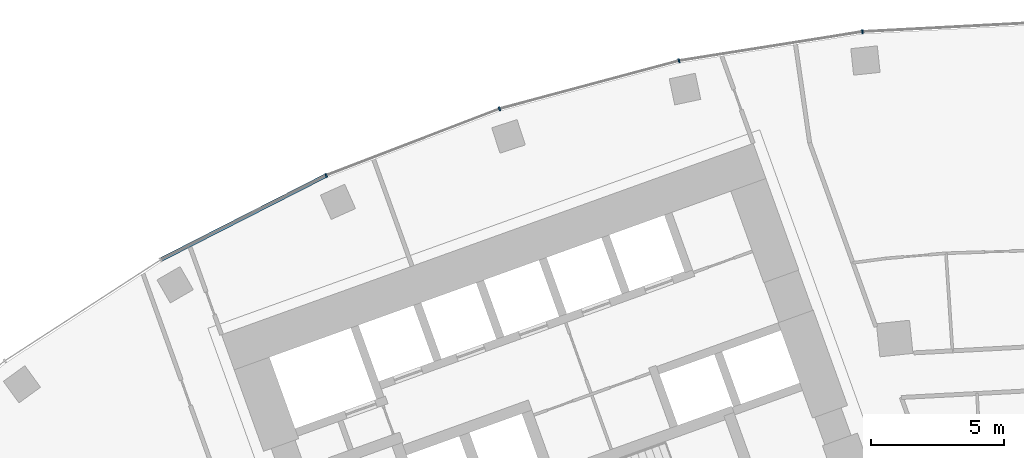
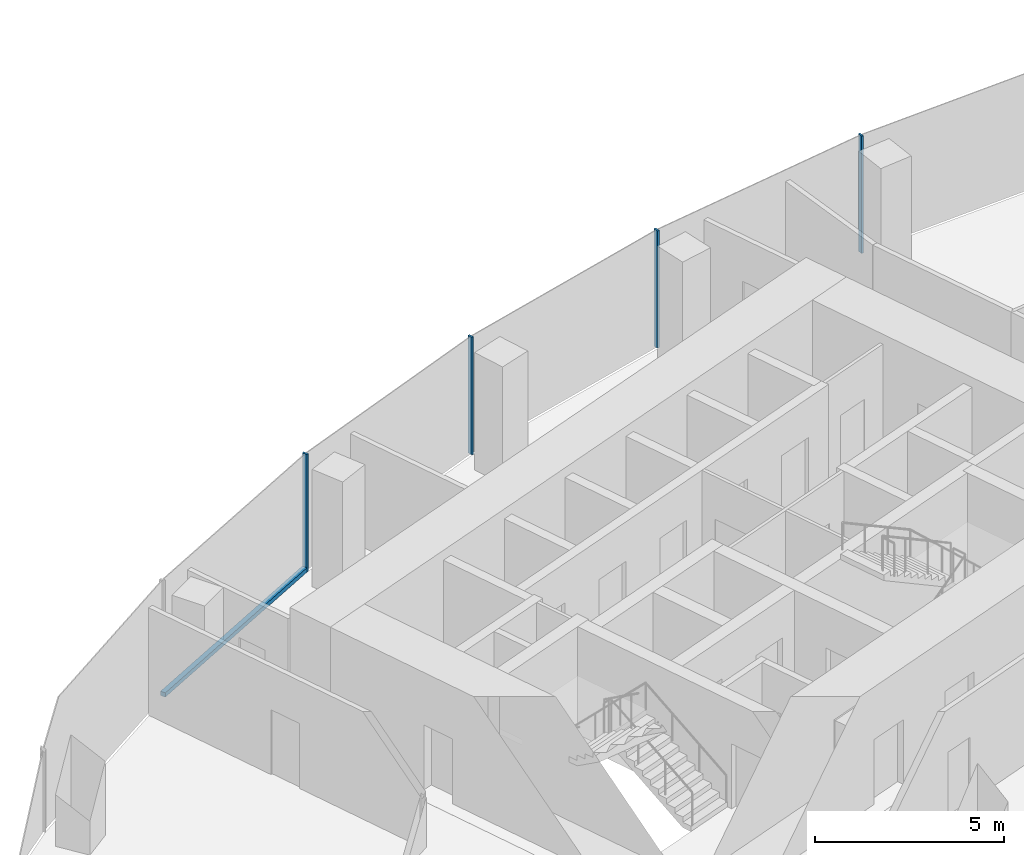
# One storey, part 6 of 21: 5 members, 1 element without a shape of its own.
"""IFC4 building model written with IfcOpenShell, lengths in metres."""

from ifc_helpers import new_model, si_unit, direction, frame, origin, origin_2d, place, context, subcontext, project, spatial, rectangle, extrude, material, layer, layer_set, material_profile, profile_set, type_object, element, aggregate, save


model = new_model("IFC4")

# Units and contexts
model_context = context("Model", 3, precision=1e-05, world=origin(), true_north=direction((0.0, 1.0)))
body_context = subcontext(model_context, "Body", "Model", "MODEL_VIEW")
ifc_project = project(units=[si_unit("LENGTHUNIT", "METRE"), si_unit("AREAUNIT", "SQUARE_METRE"), si_unit("VOLUMEUNIT", "CUBIC_METRE"), si_unit("PLANEANGLEUNIT", "RADIAN"), si_unit("MASSUNIT", "GRAM", prefix="KILO")], contexts=[model_context])

# Site, building, storey
site_placement = place(None, origin())
site = spatial("IfcSite", under=ifc_project, at=site_placement, CompositionType="ELEMENT")
building_placement = place(site_placement, origin())
building = spatial("IfcBuilding", under=site, at=building_placement, Name="Stone Belt Terrace Tower", CompositionType="ELEMENT")
storey_placement = place(building_placement, frame((0.0, 0.0, 163.0)))
storey = spatial("IfcBuildingStorey", under=building, at=storey_placement, Name="L39", CompositionType="ELEMENT", Elevation=163.0)

# Curtain wall, members
ifc_material = material(Name="Aluminium 6063-T6 anodised frame", Category="aluminium")
ifc_layer = layer(ifc_material, 0.14990234375)
ifc_layer_set = layer_set([ifc_layer], Name="CW-A unitised convex-face curtain wall")
curtain_wall_type = type_object("IfcCurtainWallType", Name="CW-A unitised convex-face curtain wall", PredefinedType="NOTDEFINED", material=ifc_layer_set)
curtain_wall_placement = place(storey_placement, origin())
curtain_wall = element("IfcCurtainWall", 1, at=curtain_wall_placement, inside=storey, type_object=curtain_wall_type, Name="CW-A convex face L39", PredefinedType="NOTDEFINED")
ifc_material_profile_1 = material_profile(ifc_material, rectangle(XDim=0.14990234375, YDim=0.06005859375, at=origin_2d()), Name="Aluminium 6063-T6 60x150")
ifc_profile_set_1 = profile_set([ifc_material_profile_1], Name="Aluminium 6063-T6 anodised frame")
member_type_1 = type_object("IfcMemberType", Name="CW-A mullion 60 x 150", PredefinedType="MULLION", material=ifc_profile_set_1)
member_1_placement = place(storey_placement, frame((-6.958984375, 66.21044921875, 0.0), z_axis=(0.0, 0.0, 1.0), x_axis=(0.104528463268, -0.994521895368, 0.0)))
member_1 = element("IfcMember", 2, at=member_1_placement, type_object=member_type_1, Name="CW-A mullion 10", PredefinedType="MULLION", context=body_context, shape_type="SweptSolid", body=[
    extrude(rectangle(XDim=0.14990234375, YDim=0.06005859375, at=origin_2d()), origin(), (0.0, 0.0, 1.0), 3.800048828125),
])
member_2_placement = place(storey_placement, frame((-13.841796875, 65.120361328125, 0.0), z_axis=(0.0, 0.0, 1.0), x_axis=(0.207911690818, -0.978147600734, 0.0)))
member_2 = element("IfcMember", 3, at=member_2_placement, type_object=member_type_1, Name="CW-A mullion 11", PredefinedType="MULLION", context=body_context, shape_type="SweptSolid", body=[
    extrude(rectangle(XDim=0.14990234375, YDim=0.06005859375, at=origin_2d()), origin(), (0.0, 0.0, 1.0), 3.800048828125),
])
member_3_placement = place(storey_placement, frame((-20.57275390625, 63.316650390625, 0.0), z_axis=(0.0, 0.0, 1.0), x_axis=(0.309016994375, -0.951056516295, 0.0)))
member_3 = element("IfcMember", 4, at=member_3_placement, type_object=member_type_1, Name="CW-A mullion 12", PredefinedType="MULLION", context=body_context, shape_type="SweptSolid", body=[
    extrude(rectangle(XDim=0.14990234375, YDim=0.06005859375, at=origin_2d()), origin(), (0.0, 0.0, 1.0), 3.800048828125),
])
member_4_placement = place(storey_placement, frame((-27.07861328125, 60.8193359375, 0.0), z_axis=(0.0, 0.0, 1.0), x_axis=(0.406736643076, -0.913545457643, 0.0)))
member_4 = element("IfcMember", 5, at=member_4_placement, type_object=member_type_1, Name="CW-A mullion 13", PredefinedType="MULLION", context=body_context, shape_type="SweptSolid", body=[
    extrude(rectangle(XDim=0.14990234375, YDim=0.06005859375, at=origin_2d()), origin(), (0.0, 0.0, 1.0), 3.800048828125),
])
ifc_material_profile_2 = material_profile(ifc_material, rectangle(XDim=0.14990234375, YDim=0.139892578125, at=origin_2d()), Name="Aluminium 6063-T6 150x140")
ifc_profile_set_2 = profile_set([ifc_material_profile_2], Name="Aluminium 6063-T6 anodised frame")
member_type_2 = type_object("IfcMemberType", Name="CW-A transom 140 x 150", PredefinedType="USERDEFINED", material=ifc_profile_set_2)
member_5_placement = place(storey_placement, frame((-27.108642578125, 60.803955078125, 0.070068359375), z_axis=(-0.891012226264, -0.453979308613, 0.0), x_axis=(0.453979308613, -0.891012226264, 0.0)))
member_5 = element("IfcMember", 6, at=member_5_placement, type_object=member_type_2, Name="CW-A transom 13.1", ObjectType="TRANSOM", PredefinedType="USERDEFINED", context=body_context, shape_type="SweptSolid", body=[
    extrude(rectangle(XDim=0.14990234375, YDim=0.139892578125, at=origin_2d()), origin(), (0.0, 0.0, 1.0), 6.90087890625),
])
aggregate(curtain_wall, [member_1, member_2, member_3, member_4, member_5])

save(model, "model.ifc")
